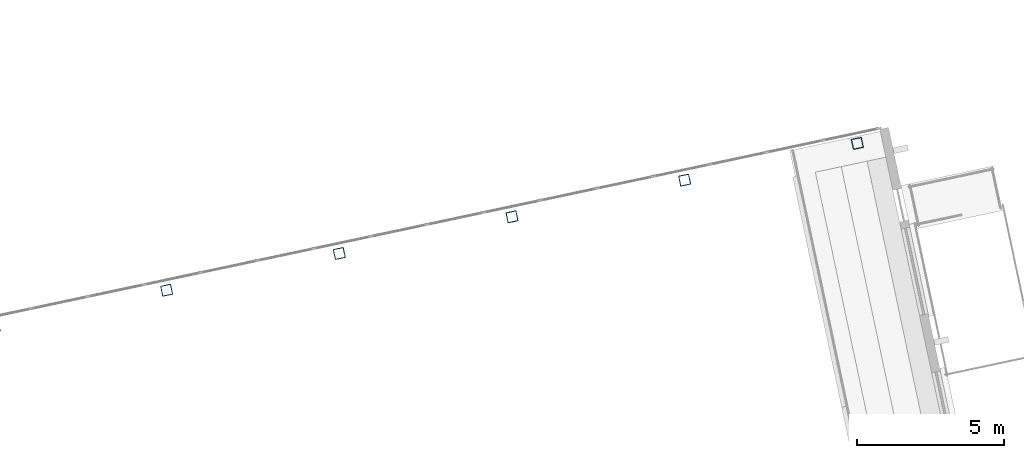
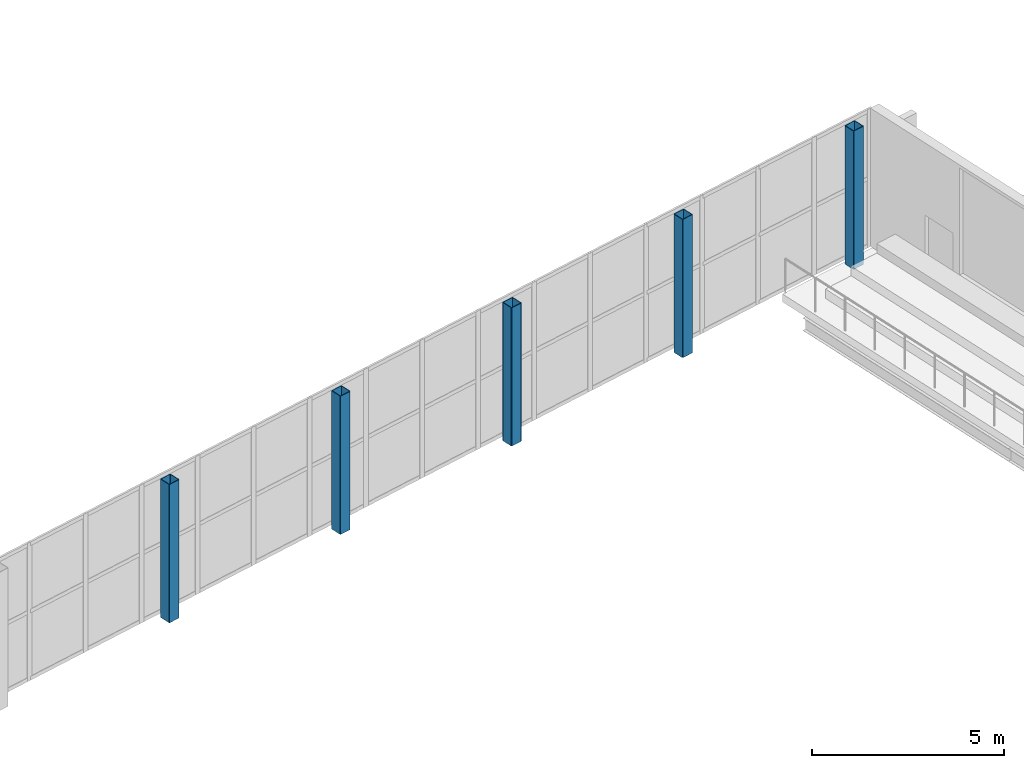
# One storey, part 25 of 115: 5 columns.
"""IFC4 building model written with IfcOpenShell, lengths in metres."""

from ifc_helpers import new_model, si_unit, direction, frame, origin, origin_2d, place, context, subcontext, project, spatial, hollow_rectangle, extrude, material, material_profile, profile_set, type_object, element, save


model = new_model("IFC4")

# Units and contexts
model_context = context("Model", 3, precision=1e-05, world=origin(), true_north=direction((0.0, 1.0)))
body_context = subcontext(model_context, "Body", "Model", "MODEL_VIEW")
ifc_project = project(units=[si_unit("LENGTHUNIT", "METRE"), si_unit("AREAUNIT", "SQUARE_METRE"), si_unit("VOLUMEUNIT", "CUBIC_METRE"), si_unit("PLANEANGLEUNIT", "RADIAN"), si_unit("MASSUNIT", "GRAM", prefix="KILO")], contexts=[model_context])

# Site, building, storey
site_placement = place(None, origin())
site = spatial("IfcSite", under=ifc_project, at=site_placement, CompositionType="ELEMENT")
building_placement = place(site_placement, origin())
building = spatial("IfcBuilding", under=site, at=building_placement, Name="Windward Yard Aquatics Centre", CompositionType="ELEMENT")
storey_placement = place(building_placement, frame((0.0, 0.0, 5.0)))
storey = spatial("IfcBuildingStorey", under=building, at=storey_placement, Name="L01", CompositionType="ELEMENT", Elevation=5.0)

# Columns
ifc_material = material(Name="Steel ASTM A500 Gr C", Category="steel")
ifc_material_profile = material_profile(ifc_material, hollow_rectangle(XDim=0.355712890625, YDim=0.355712890625, WallThickness=0.015869140625, InnerFilletRadius=0.008056640625, OuterFilletRadius=0.02392578125, at=origin_2d()), Name="HSS356X356X15.9")
ifc_profile_set = profile_set([ifc_material_profile], Name="Steel ASTM A500 Gr C")
column_type = type_object("IfcColumnType", Name="D column HSS356X356X15.9", PredefinedType="COLUMN", material=ifc_profile_set)
for number, where, z_axis, x_axis, name in (
    (1, (168.667236328125, 77.048583984375, 0.0), (0.0, 0.0, 1.0), (0.978147600734, 0.207911690818, 0.0), "D.COL.3.2.3"),
    (2, (174.5361328125, 78.2958984375, 0.0), (0.0, 0.0, 1.0), (0.978147600734, 0.207911690818, 0.0), "D.COL.4.2.3"),
    (3, (180.405029296875, 79.54345703125, 0.0), (0.0, 0.0, 1.0), (0.978147600734, 0.207911690818, 0.0), "D.COL.5.2.3"),
    (4, (186.27392578125, 80.791015625, 0.0), (0.0, 0.0, 1.0), (0.978147600734, 0.207911690818, 0.0), "D.COL.6.2.3"),
    (5, (192.142822265625, 82.038330078125, 0.0), (0.0, 0.0, 1.0), (0.978147600734, 0.207911690818, 0.0), "D.COL.7.2.3"),
):
    element("IfcColumn", number, at=place(storey_placement, frame(where, z_axis=z_axis, x_axis=x_axis)), inside=storey, type_object=column_type, Name=name, PredefinedType="COLUMN", context=body_context, shape_type="SweptSolid", body=[
        extrude(hollow_rectangle(XDim=0.355712890625, YDim=0.355712890625, WallThickness=0.015869140625, InnerFilletRadius=0.008056640625, OuterFilletRadius=0.02392578125, at=origin_2d()), origin(), (0.0, 0.0, 1.0), 4.39990234375),
    ])

save(model, "model.ifc")
